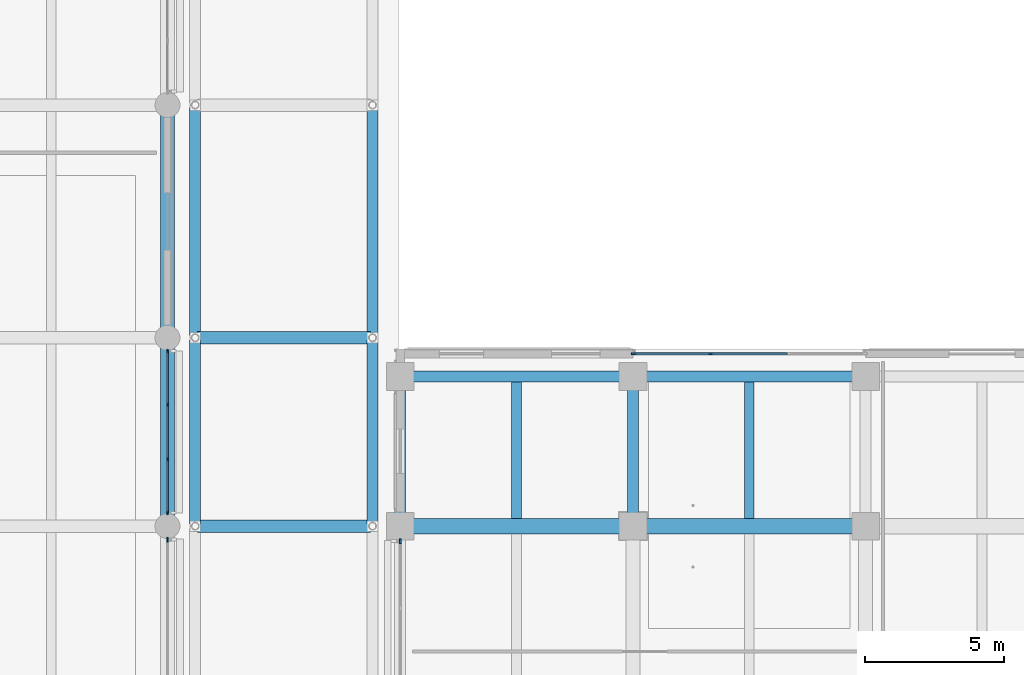
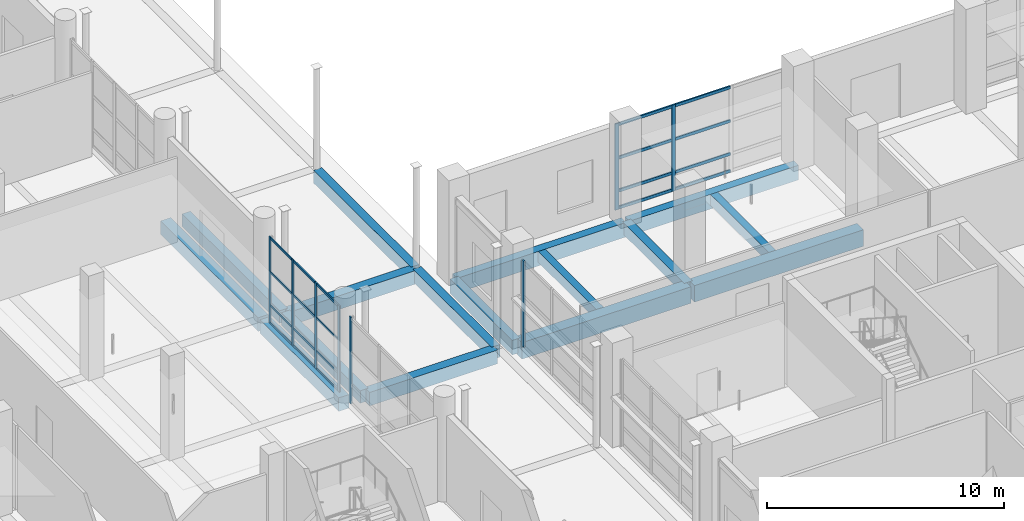
# One storey, part 26 of 140: 28 members, 16 beams, 4 elements without a shape of their own.
"""IFC4 building model written with IfcOpenShell, lengths in metres."""

from ifc_helpers import new_model, si_unit, direction, frame, origin, origin_2d, place, context, subcontext, project, spatial, rectangle, extrude, material, layer, layer_set, material_profile, profile_set, type_object, element, aggregate, save


model = new_model("IFC4")

# Units and contexts
model_context = context("Model", 3, precision=1e-05, world=origin(), true_north=direction((0.0, 1.0)))
body_context = subcontext(model_context, "Body", "Model", "MODEL_VIEW")
ifc_project = project(units=[si_unit("LENGTHUNIT", "METRE"), si_unit("AREAUNIT", "SQUARE_METRE"), si_unit("VOLUMEUNIT", "CUBIC_METRE"), si_unit("PLANEANGLEUNIT", "RADIAN"), si_unit("MASSUNIT", "GRAM", prefix="KILO")], contexts=[model_context])

# Site, building, storey
site_placement = place(None, origin())
site = spatial("IfcSite", under=ifc_project, at=site_placement, CompositionType="ELEMENT")
building_placement = place(site_placement, origin())
building = spatial("IfcBuilding", under=site, at=building_placement, Name="Telukmera Botanical Conservatory", CompositionType="ELEMENT")
storey_placement = place(building_placement, origin())
storey = spatial("IfcBuildingStorey", under=building, at=storey_placement, Name="L00", CompositionType="ELEMENT", Elevation=0.0)

# Beams
ifc_material_1 = material(Name="Concrete C40/50", Category="concrete")
ifc_material_profile_1 = material_profile(ifc_material_1, rectangle(XDim=0.5, YDim=0.699951171875, at=origin_2d()), Name="RC 500x700")
ifc_profile_set_1 = profile_set([ifc_material_profile_1], Name="Concrete C40/50")
beam_type_1 = type_object("IfcBeamType", Name="Beam_B14", PredefinedType="BEAM", material=ifc_profile_set_1)
beam_1_placement = place(storey_placement, frame((42.0, 42.8798828125, -0.35009765625), z_axis=(0.0, 1.0, 0.0), x_axis=(-1.0, 0.0, 0.0)))
element("IfcBeam", 1, at=beam_1_placement, inside=storey, type_object=beam_type_1, Name="Visitor Wing Transverse Beam L00", PredefinedType="BEAM", context=body_context, shape_type="SweptSolid", body=[
    extrude(rectangle(XDim=0.5, YDim=0.699951171875, at=origin_2d()), origin(), (0.0, 0.0, 1.0), 6.64013671875),
])
beam_2_placement = place(storey_placement, frame((42.0, 49.679931640625, -0.35009765625), z_axis=(0.0, 1.0, 0.0), x_axis=(-1.0, 0.0, 0.0)))
element("IfcBeam", 2, at=beam_2_placement, inside=storey, type_object=beam_type_1, Name="Visitor Wing Transverse Beam L00", PredefinedType="BEAM", context=body_context, shape_type="SweptSolid", body=[
    extrude(rectangle(XDim=0.5, YDim=0.699951171875, at=origin_2d()), origin(), (0.0, 0.0, 1.0), 8.239990234375),
])
ifc_material_profile_2 = material_profile(ifc_material_1, rectangle(XDim=0.449951171875, YDim=0.699951171875, at=origin_2d()), Name="RC 450x700")
ifc_profile_set_2 = profile_set([ifc_material_profile_2], Name="Concrete C40/50")
beam_type_2 = type_object("IfcBeamType", Name="Beam_B15", PredefinedType="BEAM", material=ifc_profile_set_2)
for number, where, z_axis, x_axis, name in (
    (3, (43.080078125, 42.800048828125, -0.35009765625), (1.0, 0.0, 0.0), (0.0, 1.0, 0.0), "West Arcade Deck Transverse Beam L00"),
    (4, (43.080078125, 49.60009765625, -0.35009765625), (1.0, 0.0, 0.0), (0.0, 1.0, 0.0), "West Arcade Deck Transverse Beam L00"),
):
    element("IfcBeam", number, at=place(storey_placement, frame(where, z_axis=z_axis, x_axis=x_axis)), inside=storey, type_object=beam_type_2, Name=name, PredefinedType="BEAM", context=body_context, shape_type="SweptSolid", body=[
        extrude(rectangle(XDim=0.449951171875, YDim=0.699951171875, at=origin_2d()), origin(), (0.0, 0.0, 1.0), 6.239990234375),
    ])
ifc_material_profile_3 = material_profile(ifc_material_1, rectangle(XDim=0.39990234375, YDim=0.60009765625, at=origin_2d()), Name="RC 400x600")
ifc_profile_set_3 = profile_set([ifc_material_profile_3], Name="Concrete C40/50")
beam_type_3 = type_object("IfcBeamType", Name="Beam_B18", PredefinedType="BEAM", material=ifc_profile_set_3)
beam_3_placement = place(storey_placement, frame((58.800048828125, 42.8798828125, -0.300048828125), z_axis=(0.0, 1.0, 0.0), x_axis=(-1.0, 0.0, 0.0)))
element("IfcBeam", 5, at=beam_3_placement, inside=storey, type_object=beam_type_3, Name="Tower Transverse Beam L00", PredefinedType="BEAM", context=body_context, shape_type="SweptSolid", body=[
    extrude(rectangle(XDim=0.39990234375, YDim=0.60009765625, at=origin_2d()), origin(), (0.0, 0.0, 1.0), 5.240234375),
])
ifc_material_profile_4 = material_profile(ifc_material_1, rectangle(XDim=0.35009765625, YDim=0.550048828125, at=origin_2d()), Name="RC 350x550")
ifc_profile_set_4 = profile_set([ifc_material_profile_4], Name="Concrete C40/50")
beam_type_4 = type_object("IfcBeamType", Name="Beam_B21", PredefinedType="JOIST", material=ifc_profile_set_4)
for number, where, z_axis, x_axis, name in (
    (6, (54.60009765625, 43.074951171875, -0.27490234375), (0.0, 1.0, 0.0), (-1.0, 0.0, 0.0), "Tower Secondary Floor Joist L00"),
    (7, (63.0, 43.074951171875, -0.27490234375), (0.0, 1.0, 0.0), (-1.0, 0.0, 0.0), "Tower Secondary Floor Joist L00"),
):
    element("IfcBeam", number, at=place(storey_placement, frame(where, z_axis=z_axis, x_axis=x_axis)), inside=storey, type_object=beam_type_4, Name=name, PredefinedType="JOIST", context=body_context, shape_type="SweptSolid", body=[
        extrude(rectangle(XDim=0.35009765625, YDim=0.550048828125, at=origin_2d()), origin(), (0.0, 0.0, 1.0), 4.925048828125),
    ])
ifc_material_profile_5 = material_profile(ifc_material_1, rectangle(XDim=0.550048828125, YDim=0.85009765625, at=origin_2d()), Name="RC 550x850")
ifc_profile_set_5 = profile_set([ifc_material_profile_5], Name="Concrete C40/50")
beam_type_5 = type_object("IfcBeamType", Name="Beam_B4", PredefinedType="BEAM", material=ifc_profile_set_5)
beam_4_placement = place(storey_placement, frame((50.47998046875, 42.800048828125, -0.425048828125), z_axis=(1.0, 0.0, 0.0), x_axis=(0.0, 1.0, 0.0)))
element("IfcBeam", 8, at=beam_4_placement, inside=storey, type_object=beam_type_5, Name="Tower Grid Beam L00", PredefinedType="BEAM", context=body_context, shape_type="SweptSolid", body=[
    extrude(rectangle(XDim=0.550048828125, YDim=0.85009765625, at=origin_2d()), origin(), (0.0, 0.0, 1.0), 8.239990234375),
])
beam_5_placement = place(storey_placement, frame((58.8798828125, 42.800048828125, -0.425048828125), z_axis=(1.0, 0.0, 0.0), x_axis=(0.0, 1.0, 0.0)))
element("IfcBeam", 9, at=beam_5_placement, inside=storey, type_object=beam_type_5, Name="Tower Grid Beam L00", PredefinedType="BEAM", context=body_context, shape_type="SweptSolid", body=[
    extrude(rectangle(XDim=0.550048828125, YDim=0.85009765625, at=origin_2d()), origin(), (0.0, 0.0, 1.0), 8.240234375),
])
ifc_material_profile_6 = material_profile(ifc_material_1, rectangle(XDim=0.39990234375, YDim=0.64990234375, at=origin_2d()), Name="RC 400x650")
ifc_profile_set_6 = profile_set([ifc_material_profile_6], Name="Concrete C40/50")
beam_type_6 = type_object("IfcBeamType", Name="Beam_B8", PredefinedType="BEAM", material=ifc_profile_set_6)
beam_6_placement = place(storey_placement, frame((43.0, 42.8798828125, -0.324951171875), z_axis=(0.0, 1.0, 0.0), x_axis=(-1.0, 0.0, 0.0)))
element("IfcBeam", 10, at=beam_6_placement, inside=storey, type_object=beam_type_6, Name="West Arcade Deck Girder L00", PredefinedType="BEAM", context=body_context, shape_type="SweptSolid", body=[
    extrude(rectangle(XDim=0.39990234375, YDim=0.64990234375, at=origin_2d()), origin(), (0.0, 0.0, 1.0), 6.64013671875),
])
beam_7_placement = place(storey_placement, frame((43.0, 49.679931640625, -0.324951171875), z_axis=(0.0, 1.0, 0.0), x_axis=(-1.0, 0.0, 0.0)))
element("IfcBeam", 11, at=beam_7_placement, inside=storey, type_object=beam_type_6, Name="West Arcade Deck Girder L00", PredefinedType="BEAM", context=body_context, shape_type="SweptSolid", body=[
    extrude(rectangle(XDim=0.39990234375, YDim=0.64990234375, at=origin_2d()), origin(), (0.0, 0.0, 1.0), 8.239990234375),
])
beam_8_placement = place(storey_placement, frame((49.39990234375, 42.8798828125, -0.324951171875), z_axis=(0.0, 1.0, 0.0), x_axis=(-1.0, 0.0, 0.0)))
element("IfcBeam", 12, at=beam_8_placement, inside=storey, type_object=beam_type_6, Name="West Arcade Deck Girder L00", PredefinedType="BEAM", context=body_context, shape_type="SweptSolid", body=[
    extrude(rectangle(XDim=0.39990234375, YDim=0.64990234375, at=origin_2d()), origin(), (0.0, 0.0, 1.0), 6.64013671875),
])
beam_9_placement = place(storey_placement, frame((49.39990234375, 49.679931640625, -0.324951171875), z_axis=(0.0, 1.0, 0.0), x_axis=(-1.0, 0.0, 0.0)))
element("IfcBeam", 13, at=beam_9_placement, inside=storey, type_object=beam_type_6, Name="West Arcade Deck Girder L00", PredefinedType="BEAM", context=body_context, shape_type="SweptSolid", body=[
    extrude(rectangle(XDim=0.39990234375, YDim=0.64990234375, at=origin_2d()), origin(), (0.0, 0.0, 1.0), 8.239990234375),
])
ifc_material_2 = material(Name="Precast concrete C40/50", Category="concrete")
ifc_material_profile_7 = material_profile(ifc_material_2, rectangle(XDim=0.39990234375, YDim=0.75, at=origin_2d()), Name="PC 400x750")
ifc_profile_set_7 = profile_set([ifc_material_profile_7], Name="Precast concrete C40/50")
beam_type_7 = type_object("IfcBeamType", Name="Beam_SP1", PredefinedType="SPANDREL", material=ifc_profile_set_7)
beam_10_placement = place(storey_placement, frame((50.47998046875, 48.199951171875, -0.375), z_axis=(1.0, 0.0, 0.0), x_axis=(0.0, 1.0, 0.0)))
element("IfcBeam", 14, at=beam_10_placement, inside=storey, type_object=beam_type_7, Name="Tower Grid Beam L00", PredefinedType="SPANDREL", context=body_context, shape_type="SweptSolid", body=[
    extrude(rectangle(XDim=0.39990234375, YDim=0.75, at=origin_2d()), origin(), (0.0, 0.0, 1.0), 8.239990234375),
])
beam_11_placement = place(storey_placement, frame((58.8798828125, 48.199951171875, -0.375), z_axis=(1.0, 0.0, 0.0), x_axis=(0.0, 1.0, 0.0)))
element("IfcBeam", 15, at=beam_11_placement, inside=storey, type_object=beam_type_7, Name="Tower Grid Beam L00", PredefinedType="SPANDREL", context=body_context, shape_type="SweptSolid", body=[
    extrude(rectangle(XDim=0.39990234375, YDim=0.75, at=origin_2d()), origin(), (0.0, 0.0, 1.0), 8.240234375),
])
beam_12_placement = place(storey_placement, frame((50.39990234375, 42.8798828125, -0.375), z_axis=(0.0, 1.0, 0.0), x_axis=(-1.0, 0.0, 0.0)))
element("IfcBeam", 16, at=beam_12_placement, inside=storey, type_object=beam_type_7, Name="Tower Transverse Beam L00", PredefinedType="SPANDREL", context=body_context, shape_type="SweptSolid", body=[
    extrude(rectangle(XDim=0.39990234375, YDim=0.75, at=origin_2d()), origin(), (0.0, 0.0, 1.0), 5.240234375),
])

# Curtain wall, members
ifc_material_3 = material(Name="Anodised aluminium 6063-T6", Category="aluminium")
ifc_layer_1 = layer(ifc_material_3, 0.179931640625)
ifc_layer_set_1 = layer_set([ifc_layer_1], Name="Anodised aluminium 6063-T6")
curtain_wall_type_1 = type_object("IfcCurtainWallType", Name="Visitor Courtyard Narrow Bay Curtain Wall", PredefinedType="USERDEFINED", material=ifc_layer_set_1)
curtain_wall_1_placement = place(storey_placement, origin())
curtain_wall_1 = element("IfcCurtainWall", 17, at=curtain_wall_1_placement, inside=storey, type_object=curtain_wall_type_1, Name="Unitised Curtain Wall CW10 V3:L00:E4", ObjectType="UNITISED CURTAIN WALL", PredefinedType="USERDEFINED")
ifc_material_profile_8 = material_profile(ifc_material_3, rectangle(XDim=0.06005859375, YDim=0.139892578125, at=origin_2d()), Name="ALU MULL 60x140")
ifc_profile_set_8 = profile_set([ifc_material_profile_8], Name="Anodised aluminium 6063-T6")
member_type_1 = type_object("IfcMemberType", Name="Curtain Wall Extruded Mullion 60x140", PredefinedType="MULLION", material=ifc_profile_set_8)
member_1_placement = place(storey_placement, frame((42.0, 43.281982421875, 0.0), z_axis=(0.0, 0.0, 1.0), x_axis=(-1.0, 0.0, 0.0)))
member_1 = element("IfcMember", 18, at=member_1_placement, type_object=member_type_1, Name="CW10 mullion 1", PredefinedType="MULLION", context=body_context, shape_type="SweptSolid", body=[
    extrude(rectangle(XDim=0.06005859375, YDim=0.139892578125, at=origin_2d()), origin(), (0.0, 0.0, 1.0), 4.449951171875),
])
member_2_placement = place(storey_placement, frame((42.0, 45.21728515625, 0.0), z_axis=(0.0, 0.0, 1.0), x_axis=(-1.0, 0.0, 0.0)))
member_2 = element("IfcMember", 19, at=member_2_placement, type_object=member_type_1, Name="CW10 mullion 2", PredefinedType="MULLION", context=body_context, shape_type="SweptSolid", body=[
    extrude(rectangle(XDim=0.06005859375, YDim=0.139892578125, at=origin_2d()), origin(), (0.0, 0.0, 1.0), 4.449951171875),
])
member_3_placement = place(storey_placement, frame((42.0, 47.1826171875, 0.0), z_axis=(0.0, 0.0, 1.0), x_axis=(-1.0, 0.0, 0.0)))
member_3 = element("IfcMember", 20, at=member_3_placement, type_object=member_type_1, Name="CW10 mullion 3", PredefinedType="MULLION", context=body_context, shape_type="SweptSolid", body=[
    extrude(rectangle(XDim=0.06005859375, YDim=0.139892578125, at=origin_2d()), origin(), (0.0, 0.0, 1.0), 4.449951171875),
])
member_4_placement = place(storey_placement, frame((42.0, 49.117919921875, 0.0), z_axis=(0.0, 0.0, 1.0), x_axis=(-1.0, 0.0, 0.0)))
member_4 = element("IfcMember", 21, at=member_4_placement, type_object=member_type_1, Name="CW10 mullion 4", PredefinedType="MULLION", context=body_context, shape_type="SweptSolid", body=[
    extrude(rectangle(XDim=0.06005859375, YDim=0.139892578125, at=origin_2d()), origin(), (0.0, 0.0, 1.0), 4.449951171875),
])

# Curtain wall, member
ifc_layer_2 = layer(ifc_material_3, 0.179931640625)
ifc_layer_set_2 = layer_set([ifc_layer_2], Name="Anodised aluminium 6063-T6")
curtain_wall_type_2 = type_object("IfcCurtainWallType", Name="Visitor Colonnade Ground Curtain Wall 2400 Mod", PredefinedType="USERDEFINED", material=ifc_layer_set_2)
curtain_wall_2_placement = place(storey_placement, origin())
curtain_wall_2 = element("IfcCurtainWall", 22, at=curtain_wall_2_placement, inside=storey, type_object=curtain_wall_type_2, Name="Unitised Curtain Wall CW07 V3:L00:E3", ObjectType="UNITISED CURTAIN WALL", PredefinedType="USERDEFINED")
ifc_material_profile_9 = material_profile(ifc_material_3, rectangle(XDim=0.070068359375, YDim=0.179931640625, at=origin_2d()), Name="ALU MULL 70x180")
ifc_profile_set_9 = profile_set([ifc_material_profile_9], Name="Anodised aluminium 6063-T6")
member_type_2 = type_object("IfcMemberType", Name="Curtain Wall Extruded Mullion 70x180", PredefinedType="MULLION", material=ifc_profile_set_9)
member_5_placement = place(storey_placement, frame((42.0, 42.31298828125, 0.0), z_axis=(0.0, 0.0, 1.0), x_axis=(-1.0, 0.0, 0.0)))
member_5 = element("IfcMember", 23, at=member_5_placement, type_object=member_type_2, Name="CW07 mullion 4", PredefinedType="MULLION", context=body_context, shape_type="SweptSolid", body=[
    extrude(rectangle(XDim=0.070068359375, YDim=0.179931640625, at=origin_2d()), origin(), (0.0, 0.0, 1.0), 4.449951171875),
])
aggregate(curtain_wall_2, [member_5])

# Curtain wall, members
ifc_layer_3 = layer(ifc_material_3, 0.179931640625)
ifc_layer_set_3 = layer_set([ifc_layer_3], Name="Anodised aluminium 6063-T6")
curtain_wall_type_3 = type_object("IfcCurtainWallType", Name="Tower Boulevard Podium Hall Curtain Wall", PredefinedType="USERDEFINED", material=ifc_layer_set_3)
curtain_wall_3_placement = place(storey_placement, origin())
curtain_wall_3 = element("IfcCurtainWall", 24, at=curtain_wall_3_placement, inside=storey, type_object=curtain_wall_type_3, Name="Unitised Curtain Wall CW12 V4:L00:N2", ObjectType="UNITISED CURTAIN WALL", PredefinedType="USERDEFINED")
member_6_placement = place(storey_placement, frame((58.8369140625, 49.02001953125, 0.0), z_axis=(0.0, 0.0, 1.0), x_axis=(0.0, 1.0, 0.0)))
member_6 = element("IfcMember", 25, at=member_6_placement, type_object=member_type_2, Name="CW12 mullion 1", PredefinedType="MULLION", context=body_context, shape_type="SweptSolid", body=[
    extrude(rectangle(XDim=0.070068359375, YDim=0.179931640625, at=origin_2d()), origin(), (0.0, 0.0, 1.0), 4.449951171875),
])
member_7_placement = place(storey_placement, frame((61.6005859375, 49.02001953125, 0.0), z_axis=(0.0, 0.0, 1.0), x_axis=(0.0, 1.0, 0.0)))
member_7 = element("IfcMember", 26, at=member_7_placement, type_object=member_type_2, Name="CW12 mullion 2", PredefinedType="MULLION", context=body_context, shape_type="SweptSolid", body=[
    extrude(rectangle(XDim=0.070068359375, YDim=0.179931640625, at=origin_2d()), origin(), (0.0, 0.0, 1.0), 4.449951171875),
])

# Curtain wall, member
curtain_wall_4_placement = place(storey_placement, origin())
curtain_wall_4 = element("IfcCurtainWall", 27, at=curtain_wall_4_placement, inside=storey, type_object=curtain_wall_type_3, Name="Unitised Curtain Wall CW12 V4:L00:W4", ObjectType="UNITISED CURTAIN WALL", PredefinedType="USERDEFINED")
member_8_placement = place(storey_placement, frame((50.39990234375, 42.262939453125, 0.0), z_axis=(0.0, 0.0, 1.0), x_axis=(-1.0, 0.0, 0.0)))
member_8 = element("IfcMember", 28, at=member_8_placement, type_object=member_type_2, Name="CW12 mullion 4", PredefinedType="MULLION", context=body_context, shape_type="SweptSolid", body=[
    extrude(rectangle(XDim=0.070068359375, YDim=0.179931640625, at=origin_2d()), origin(), (0.0, 0.0, 1.0), 4.449951171875),
])
aggregate(curtain_wall_4, [member_8])

# Member
ifc_material_profile_10 = material_profile(ifc_material_3, rectangle(XDim=0.06005859375, YDim=0.110107421875, at=origin_2d()), Name="ALU TRAN 60x110")
ifc_profile_set_10 = profile_set([ifc_material_profile_10], Name="Anodised aluminium 6063-T6")
member_type_3 = type_object("IfcMemberType", Name="Curtain Wall Extruded Transom 60x110", PredefinedType="USERDEFINED", material=ifc_profile_set_10)
member_9_placement = place(storey_placement, frame((42.0, 43.31201171875, 0.054931640625), z_axis=(0.0, 1.0, 0.0), x_axis=(-1.0, 0.0, 0.0)))
member_9 = element("IfcMember", 29, at=member_9_placement, type_object=member_type_3, Name="CW10 transom 1.1", ObjectType="TRANSOM", PredefinedType="USERDEFINED", context=body_context, shape_type="SweptSolid", body=[
    extrude(rectangle(XDim=0.06005859375, YDim=0.110107421875, at=origin_2d()), origin(), (0.0, 0.0, 1.0), 1.875244140625),
])

member_10_placement = place(storey_placement, frame((42.0, 43.31201171875, 0.949951171875), z_axis=(0.0, 1.0, 0.0), x_axis=(-1.0, 0.0, 0.0)))
member_10 = element("IfcMember", 30, at=member_10_placement, type_object=member_type_3, Name="CW10 transom 1.2", ObjectType="TRANSOM", PredefinedType="USERDEFINED", context=body_context, shape_type="SweptSolid", body=[
    extrude(rectangle(XDim=0.06005859375, YDim=0.110107421875, at=origin_2d()), origin(), (0.0, 0.0, 1.0), 1.875244140625),
])

member_11_placement = place(storey_placement, frame((42.0, 43.31201171875, 2.64990234375), z_axis=(0.0, 1.0, 0.0), x_axis=(-1.0, 0.0, 0.0)))
member_11 = element("IfcMember", 31, at=member_11_placement, type_object=member_type_3, Name="CW10 transom 1.3", ObjectType="TRANSOM", PredefinedType="USERDEFINED", context=body_context, shape_type="SweptSolid", body=[
    extrude(rectangle(XDim=0.06005859375, YDim=0.110107421875, at=origin_2d()), origin(), (0.0, 0.0, 1.0), 1.875244140625),
])

member_12_placement = place(storey_placement, frame((42.0, 43.31201171875, 4.39501953125), z_axis=(0.0, 1.0, 0.0), x_axis=(-1.0, 0.0, 0.0)))
member_12 = element("IfcMember", 32, at=member_12_placement, type_object=member_type_3, Name="CW10 transom 1.4", ObjectType="TRANSOM", PredefinedType="USERDEFINED", context=body_context, shape_type="SweptSolid", body=[
    extrude(rectangle(XDim=0.06005859375, YDim=0.110107421875, at=origin_2d()), origin(), (0.0, 0.0, 1.0), 1.875244140625),
])

member_13_placement = place(storey_placement, frame((42.0, 45.247314453125, 0.054931640625), z_axis=(0.0, 1.0, 0.0), x_axis=(-1.0, 0.0, 0.0)))
member_13 = element("IfcMember", 33, at=member_13_placement, type_object=member_type_3, Name="CW10 transom 2.1", ObjectType="TRANSOM", PredefinedType="USERDEFINED", context=body_context, shape_type="SweptSolid", body=[
    extrude(rectangle(XDim=0.06005859375, YDim=0.110107421875, at=origin_2d()), origin(), (0.0, 0.0, 1.0), 1.9052734375),
])

member_14_placement = place(storey_placement, frame((42.0, 45.247314453125, 0.949951171875), z_axis=(0.0, 1.0, 0.0), x_axis=(-1.0, 0.0, 0.0)))
member_14 = element("IfcMember", 34, at=member_14_placement, type_object=member_type_3, Name="CW10 transom 2.2", ObjectType="TRANSOM", PredefinedType="USERDEFINED", context=body_context, shape_type="SweptSolid", body=[
    extrude(rectangle(XDim=0.06005859375, YDim=0.110107421875, at=origin_2d()), origin(), (0.0, 0.0, 1.0), 1.9052734375),
])

member_15_placement = place(storey_placement, frame((42.0, 45.247314453125, 2.64990234375), z_axis=(0.0, 1.0, 0.0), x_axis=(-1.0, 0.0, 0.0)))
member_15 = element("IfcMember", 35, at=member_15_placement, type_object=member_type_3, Name="CW10 transom 2.3", ObjectType="TRANSOM", PredefinedType="USERDEFINED", context=body_context, shape_type="SweptSolid", body=[
    extrude(rectangle(XDim=0.06005859375, YDim=0.110107421875, at=origin_2d()), origin(), (0.0, 0.0, 1.0), 1.9052734375),
])

member_16_placement = place(storey_placement, frame((42.0, 45.247314453125, 4.39501953125), z_axis=(0.0, 1.0, 0.0), x_axis=(-1.0, 0.0, 0.0)))
member_16 = element("IfcMember", 36, at=member_16_placement, type_object=member_type_3, Name="CW10 transom 2.4", ObjectType="TRANSOM", PredefinedType="USERDEFINED", context=body_context, shape_type="SweptSolid", body=[
    extrude(rectangle(XDim=0.06005859375, YDim=0.110107421875, at=origin_2d()), origin(), (0.0, 0.0, 1.0), 1.9052734375),
])

member_17_placement = place(storey_placement, frame((42.0, 47.212646484375, 0.054931640625), z_axis=(0.0, 1.0, 0.0), x_axis=(-1.0, 0.0, 0.0)))
member_17 = element("IfcMember", 37, at=member_17_placement, type_object=member_type_3, Name="CW10 transom 3.1", ObjectType="TRANSOM", PredefinedType="USERDEFINED", context=body_context, shape_type="SweptSolid", body=[
    extrude(rectangle(XDim=0.06005859375, YDim=0.110107421875, at=origin_2d()), origin(), (0.0, 0.0, 1.0), 1.875244140625),
])

member_18_placement = place(storey_placement, frame((42.0, 47.212646484375, 0.949951171875), z_axis=(0.0, 1.0, 0.0), x_axis=(-1.0, 0.0, 0.0)))
member_18 = element("IfcMember", 38, at=member_18_placement, type_object=member_type_3, Name="CW10 transom 3.2", ObjectType="TRANSOM", PredefinedType="USERDEFINED", context=body_context, shape_type="SweptSolid", body=[
    extrude(rectangle(XDim=0.06005859375, YDim=0.110107421875, at=origin_2d()), origin(), (0.0, 0.0, 1.0), 1.875244140625),
])

member_19_placement = place(storey_placement, frame((42.0, 47.212646484375, 2.64990234375), z_axis=(0.0, 1.0, 0.0), x_axis=(-1.0, 0.0, 0.0)))
member_19 = element("IfcMember", 39, at=member_19_placement, type_object=member_type_3, Name="CW10 transom 3.3", ObjectType="TRANSOM", PredefinedType="USERDEFINED", context=body_context, shape_type="SweptSolid", body=[
    extrude(rectangle(XDim=0.06005859375, YDim=0.110107421875, at=origin_2d()), origin(), (0.0, 0.0, 1.0), 1.875244140625),
])

member_20_placement = place(storey_placement, frame((42.0, 47.212646484375, 4.39501953125), z_axis=(0.0, 1.0, 0.0), x_axis=(-1.0, 0.0, 0.0)))
member_20 = element("IfcMember", 40, at=member_20_placement, type_object=member_type_3, Name="CW10 transom 3.4", ObjectType="TRANSOM", PredefinedType="USERDEFINED", context=body_context, shape_type="SweptSolid", body=[
    extrude(rectangle(XDim=0.06005859375, YDim=0.110107421875, at=origin_2d()), origin(), (0.0, 0.0, 1.0), 1.875244140625),
])

aggregate(curtain_wall_1, [member_1, member_2, member_3, member_4, member_9, member_10, member_11, member_12, member_13, member_14, member_15, member_16, member_17, member_18, member_19, member_20])

ifc_material_profile_11 = material_profile(ifc_material_3, rectangle(XDim=0.070068359375, YDim=0.14990234375, at=origin_2d()), Name="ALU TRAN 70x150")
ifc_profile_set_11 = profile_set([ifc_material_profile_11], Name="Anodised aluminium 6063-T6")
member_type_4 = type_object("IfcMemberType", Name="Curtain Wall Extruded Transom 70x150", PredefinedType="USERDEFINED", material=ifc_profile_set_11)
member_21_placement = place(storey_placement, frame((58.8720703125, 49.02001953125, 0.074951171875), z_axis=(1.0, 0.0, 0.0), x_axis=(0.0, 1.0, 0.0)))
member_21 = element("IfcMember", 41, at=member_21_placement, type_object=member_type_4, Name="CW12 transom 1.1", ObjectType="TRANSOM", PredefinedType="USERDEFINED", context=body_context, shape_type="SweptSolid", body=[
    extrude(rectangle(XDim=0.070068359375, YDim=0.14990234375, at=origin_2d()), origin(), (0.0, 0.0, 1.0), 2.693603515625),
])

member_22_placement = place(storey_placement, frame((58.8720703125, 49.02001953125, 0.949951171875), z_axis=(1.0, 0.0, 0.0), x_axis=(0.0, 1.0, 0.0)))
member_22 = element("IfcMember", 42, at=member_22_placement, type_object=member_type_4, Name="CW12 transom 1.2", ObjectType="TRANSOM", PredefinedType="USERDEFINED", context=body_context, shape_type="SweptSolid", body=[
    extrude(rectangle(XDim=0.070068359375, YDim=0.14990234375, at=origin_2d()), origin(), (0.0, 0.0, 1.0), 2.693603515625),
])

member_23_placement = place(storey_placement, frame((58.8720703125, 49.02001953125, 2.64990234375), z_axis=(1.0, 0.0, 0.0), x_axis=(0.0, 1.0, 0.0)))
member_23 = element("IfcMember", 43, at=member_23_placement, type_object=member_type_4, Name="CW12 transom 1.3", ObjectType="TRANSOM", PredefinedType="USERDEFINED", context=body_context, shape_type="SweptSolid", body=[
    extrude(rectangle(XDim=0.070068359375, YDim=0.14990234375, at=origin_2d()), origin(), (0.0, 0.0, 1.0), 2.693603515625),
])

member_24_placement = place(storey_placement, frame((58.8720703125, 49.02001953125, 4.375), z_axis=(1.0, 0.0, 0.0), x_axis=(0.0, 1.0, 0.0)))
member_24 = element("IfcMember", 44, at=member_24_placement, type_object=member_type_4, Name="CW12 transom 1.4", ObjectType="TRANSOM", PredefinedType="USERDEFINED", context=body_context, shape_type="SweptSolid", body=[
    extrude(rectangle(XDim=0.070068359375, YDim=0.14990234375, at=origin_2d()), origin(), (0.0, 0.0, 1.0), 2.693603515625),
])

member_25_placement = place(storey_placement, frame((61.6357421875, 49.02001953125, 0.074951171875), z_axis=(1.0, 0.0, 0.0), x_axis=(0.0, 1.0, 0.0)))
member_25 = element("IfcMember", 45, at=member_25_placement, type_object=member_type_4, Name="CW12 transom 2.1", ObjectType="TRANSOM", PredefinedType="USERDEFINED", context=body_context, shape_type="SweptSolid", body=[
    extrude(rectangle(XDim=0.070068359375, YDim=0.14990234375, at=origin_2d()), origin(), (0.0, 0.0, 1.0), 2.728515625),
])

member_26_placement = place(storey_placement, frame((61.6357421875, 49.02001953125, 0.949951171875), z_axis=(1.0, 0.0, 0.0), x_axis=(0.0, 1.0, 0.0)))
member_26 = element("IfcMember", 46, at=member_26_placement, type_object=member_type_4, Name="CW12 transom 2.2", ObjectType="TRANSOM", PredefinedType="USERDEFINED", context=body_context, shape_type="SweptSolid", body=[
    extrude(rectangle(XDim=0.070068359375, YDim=0.14990234375, at=origin_2d()), origin(), (0.0, 0.0, 1.0), 2.728515625),
])

member_27_placement = place(storey_placement, frame((61.6357421875, 49.02001953125, 2.64990234375), z_axis=(1.0, 0.0, 0.0), x_axis=(0.0, 1.0, 0.0)))
member_27 = element("IfcMember", 47, at=member_27_placement, type_object=member_type_4, Name="CW12 transom 2.3", ObjectType="TRANSOM", PredefinedType="USERDEFINED", context=body_context, shape_type="SweptSolid", body=[
    extrude(rectangle(XDim=0.070068359375, YDim=0.14990234375, at=origin_2d()), origin(), (0.0, 0.0, 1.0), 2.728515625),
])

member_28_placement = place(storey_placement, frame((61.6357421875, 49.02001953125, 4.375), z_axis=(1.0, 0.0, 0.0), x_axis=(0.0, 1.0, 0.0)))
member_28 = element("IfcMember", 48, at=member_28_placement, type_object=member_type_4, Name="CW12 transom 2.4", ObjectType="TRANSOM", PredefinedType="USERDEFINED", context=body_context, shape_type="SweptSolid", body=[
    extrude(rectangle(XDim=0.070068359375, YDim=0.14990234375, at=origin_2d()), origin(), (0.0, 0.0, 1.0), 2.728515625),
])

aggregate(curtain_wall_3, [member_6, member_7, member_21, member_22, member_23, member_24, member_25, member_26, member_27, member_28])

save(model, "model.ifc")
